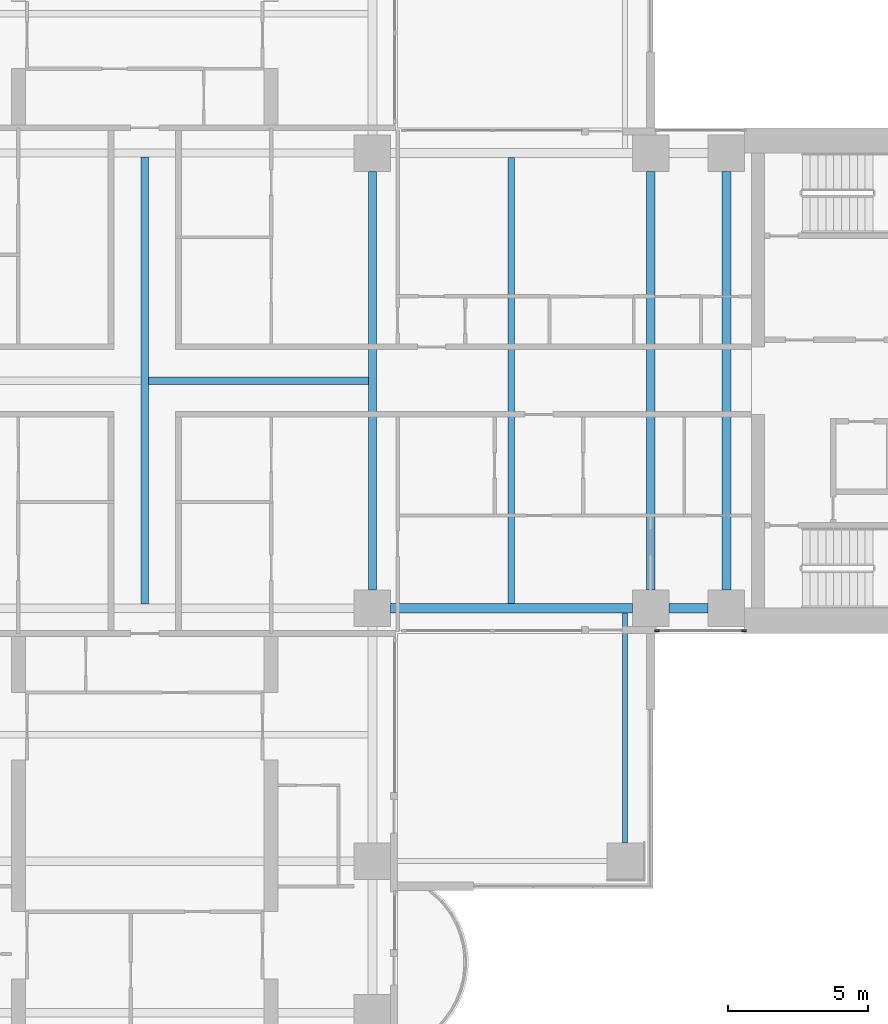
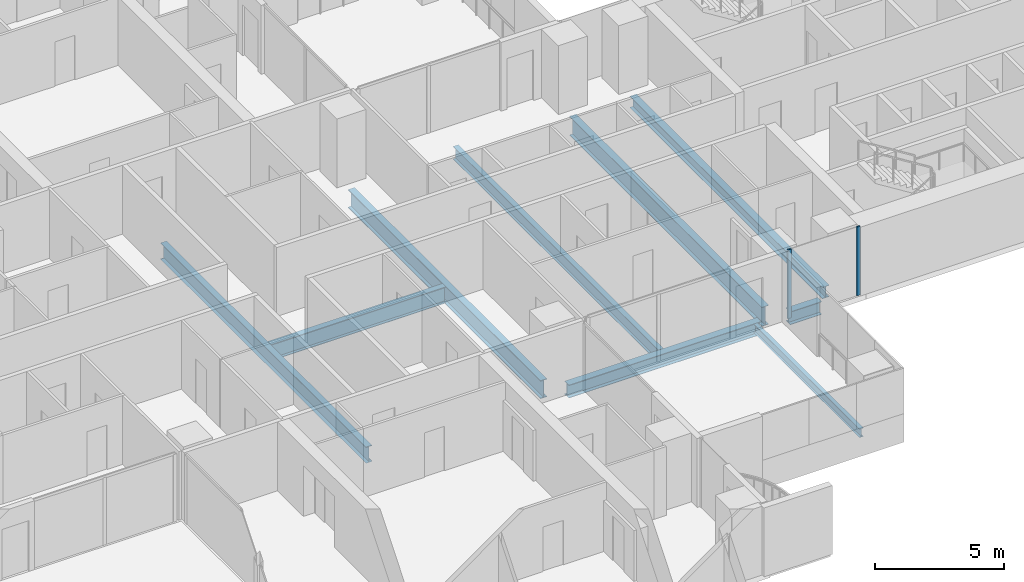
# One storey, part 4 of 21: 9 beams, 2 members, 1 element without a shape of its own.
"""IFC4 building model written with IfcOpenShell, lengths in metres."""

from ifc_helpers import new_model, si_unit, direction, frame, origin, origin_2d, place, context, subcontext, project, spatial, rectangle, i_section, extrude, material, material_profile, profile_set, type_object, element, aggregate, save


model = new_model("IFC4")

# Units and contexts
model_context = context("Model", 3, precision=1e-05, world=origin(), true_north=direction((0.0, 1.0)))
body_context = subcontext(model_context, "Body", "Model", "MODEL_VIEW")
ifc_project = project(units=[si_unit("LENGTHUNIT", "METRE"), si_unit("AREAUNIT", "SQUARE_METRE"), si_unit("VOLUMEUNIT", "CUBIC_METRE"), si_unit("PLANEANGLEUNIT", "RADIAN"), si_unit("MASSUNIT", "GRAM", prefix="KILO")], contexts=[model_context])

# Site, building, storey
site_placement = place(None, origin())
site = spatial("IfcSite", under=ifc_project, at=site_placement, CompositionType="ELEMENT")
building_placement = place(site_placement, origin())
building = spatial("IfcBuilding", under=site, at=building_placement, Name="Perihelion Cross Residences", CompositionType="ELEMENT")
storey_placement = place(building_placement, frame((0.0, 0.0, 43.5)))
storey = spatial("IfcBuildingStorey", under=building, at=storey_placement, Name="L07", CompositionType="ELEMENT", Elevation=43.5)

# Curtain wall, members
ifc_material_1 = material(Name="Bronze anodised aluminium, tinted glazing", Category="aluminium")
curtain_wall_type = type_object("IfcCurtainWallType", Name="CW1", PredefinedType="NOTDEFINED", material=ifc_material_1)
curtain_wall_placement = place(storey_placement, origin())
curtain_wall = element("IfcCurtainWall", 1, at=curtain_wall_placement, inside=storey, type_object=curtain_wall_type, Name="Curtain wall CW1 L07 east side south bay 2", PredefinedType="NOTDEFINED")
ifc_material_2 = material(Name="Bronze anodised aluminium", Category="aluminium")
ifc_material_profile_1 = material_profile(ifc_material_2, rectangle(XDim=0.06005859375, YDim=0.159912109375, at=origin_2d()), Name="CW1 mullion")
ifc_profile_set_1 = profile_set([ifc_material_profile_1], Name="Bronze anodised aluminium")
member_type = type_object("IfcMemberType", Name="CW1 mullion", PredefinedType="MULLION", material=ifc_profile_set_1)
member_1_placement = place(storey_placement, frame((18.22998046875, -8.89990234375, 0.0), z_axis=(0.0, 0.0, 1.0), x_axis=(0.0, 1.0, 0.0)))
member_1 = element("IfcMember", 2, at=member_1_placement, type_object=member_type, Name="CW1 mullion 1", PredefinedType="MULLION", context=body_context, shape_type="SweptSolid", body=[
    extrude(rectangle(XDim=0.06005859375, YDim=0.159912109375, at=origin_2d()), origin(), (0.0, 0.0, 1.0), 3.25),
])
member_2_placement = place(storey_placement, frame((21.320068359375, -8.89990234375, 0.0), z_axis=(0.0, 0.0, 1.0), x_axis=(0.0, 1.0, 0.0)))
member_2 = element("IfcMember", 3, at=member_2_placement, type_object=member_type, Name="CW1 mullion 2", PredefinedType="MULLION", context=body_context, shape_type="SweptSolid", body=[
    extrude(rectangle(XDim=0.06005859375, YDim=0.159912109375, at=origin_2d()), origin(), (0.0, 0.0, 1.0), 3.25),
])
aggregate(curtain_wall, [member_1, member_2])

# Beams
ifc_material_3 = material(Name="Steel S355", Category="steel")
ifc_material_profile_2 = material_profile(ifc_material_3, i_section(OverallWidth=0.177978515625, OverallDepth=0.406005859375, WebThickness=0.0078125, FlangeThickness=0.0126953125, at=origin_2d()), Name="W410x60")
ifc_profile_set_2 = profile_set([ifc_material_profile_2], Name="Steel S355")
beam_type_1 = type_object("IfcBeamType", Name="Core edge beam W410x60", PredefinedType="BEAM", material=ifc_profile_set_2)
beam_1_placement = place(storey_placement, frame((17.10009765625, -8.262451171875, -0.452880859375), z_axis=(0.0, -1.0, 0.0), x_axis=(1.0, 0.0, 0.0)))
element("IfcBeam", 4, at=beam_1_placement, inside=storey, type_object=beam_type_1, Name="Core edge beam TB2 L07 corner no. 5", PredefinedType="BEAM", context=body_context, shape_type="SweptSolid", body=[
    extrude(i_section(OverallWidth=0.177978515625, OverallDepth=0.406005859375, WebThickness=0.0078125, FlangeThickness=0.0126953125, at=origin_2d()), origin(), (0.0, 0.0, 1.0), 8.1875),
])
ifc_material_4 = material(Name="Steel S355", Category="steel")
ifc_material_profile_3 = material_profile(ifc_material_4, i_section(OverallWidth=0.31201171875, OverallDepth=0.5439453125, WebThickness=0.0126953125, FlangeThickness=0.020263671875, at=origin_2d()), Name="W530x150")
ifc_profile_set_3 = profile_set([ifc_material_profile_3], Name="Steel S355")
beam_type_2 = type_object("IfcBeamType", Name="Core edge beam W530x150", PredefinedType="BEAM", material=ifc_profile_set_3)
beam_2_placement = place(storey_placement, frame((20.699951171875, -7.449951171875, -0.52197265625), z_axis=(0.0, 1.0, 0.0), x_axis=(-1.0, 0.0, 0.0)))
element("IfcBeam", 5, at=beam_2_placement, inside=storey, type_object=beam_type_2, Name="Core edge beam TB4 L07 no. 2", PredefinedType="BEAM", context=body_context, shape_type="SweptSolid", body=[
    extrude(i_section(OverallWidth=0.31201171875, OverallDepth=0.5439453125, WebThickness=0.0126953125, FlangeThickness=0.020263671875, at=origin_2d()), origin(), (0.0, 0.0, 1.0), 14.89990234375),
])
ifc_material_5 = material(Name="Steel S355", Category="steel")
ifc_material_profile_4 = material_profile(ifc_material_5, i_section(OverallWidth=0.324951171875, OverallDepth=0.616943359375, WebThickness=0.013916015625, FlangeThickness=0.021484375, at=origin_2d()), Name="W610x174")
ifc_profile_set_4 = profile_set([ifc_material_profile_4], Name="Steel S355")
beam_type_3 = type_object("IfcBeamType", Name="Edge beam W610x174", PredefinedType="SPANDREL", material=ifc_profile_set_4)
beam_3_placement = place(storey_placement, frame((8.75, -8.10009765625, -0.55859375), z_axis=(1.0, 0.0, 0.0), x_axis=(0.0, 1.0, 0.0)))
element("IfcBeam", 6, at=beam_3_placement, inside=storey, type_object=beam_type_3, Name="Edge beam SB2 L07 no. 18", PredefinedType="SPANDREL", context=body_context, shape_type="SweptSolid", body=[
    extrude(i_section(OverallWidth=0.324951171875, OverallDepth=0.616943359375, WebThickness=0.013916015625, FlangeThickness=0.021484375, at=origin_2d()), origin(), (0.0, 0.0, 1.0), 8.60009765625),
])
beam_4_placement = place(storey_placement, frame((18.64990234375, -8.10009765625, -0.55859375), z_axis=(1.0, 0.0, 0.0), x_axis=(0.0, 1.0, 0.0)))
element("IfcBeam", 7, at=beam_4_placement, inside=storey, type_object=beam_type_3, Name="Edge beam SB2 L07 no. 12", PredefinedType="SPANDREL", context=body_context, shape_type="SweptSolid", body=[
    extrude(i_section(OverallWidth=0.324951171875, OverallDepth=0.616943359375, WebThickness=0.013916015625, FlangeThickness=0.021484375, at=origin_2d()), origin(), (0.0, 0.0, 1.0), 1.400146484375),
])
ifc_material_6 = material(Name="Steel S355", Category="steel")
ifc_material_profile_5 = material_profile(ifc_material_6, i_section(OverallWidth=0.304931640625, OverallDepth=0.904052734375, WebThickness=0.01513671875, FlangeThickness=0.02001953125, at=origin_2d()), Name="W920x201")
ifc_profile_set_5 = profile_set([ifc_material_profile_5], Name="Steel S355")
beam_type_4 = type_object("IfcBeamType", Name="Floor girder W920x201", PredefinedType="BEAM", material=ifc_profile_set_5)
beam_5_placement = place(storey_placement, frame((18.0, -7.449951171875, -0.701904296875), z_axis=(0.0, 1.0, 0.0), x_axis=(-1.0, 0.0, 0.0)))
element("IfcBeam", 8, at=beam_5_placement, inside=storey, type_object=beam_type_4, Name="Girder G2 L07 no. 2", PredefinedType="BEAM", context=body_context, shape_type="SweptSolid", body=[
    extrude(i_section(OverallWidth=0.304931640625, OverallDepth=0.904052734375, WebThickness=0.01513671875, FlangeThickness=0.02001953125, at=origin_2d()), origin(), (0.0, 0.0, 1.0), 14.89990234375),
])
ifc_material_7 = material(Name="Steel S355", Category="steel")
ifc_material_profile_6 = material_profile(ifc_material_7, i_section(OverallWidth=0.22900390625, OverallDepth=0.612060546875, WebThickness=0.011962890625, FlangeThickness=0.01953125, at=origin_2d()), Name="W610x125")
ifc_profile_set_6 = profile_set([ifc_material_profile_6], Name="Steel S355")
beam_type_5 = type_object("IfcBeamType", Name="Floor joist W610x125", PredefinedType="JOIST", material=ifc_profile_set_6)
beam_6_placement = place(storey_placement, frame((13.050048828125, -7.9375, -0.555908203125), z_axis=(0.0, 1.0, 0.0), x_axis=(-1.0, 0.0, 0.0)))
element("IfcBeam", 9, at=beam_6_placement, inside=storey, type_object=beam_type_5, Name="Joist J3 L07 no. 2", PredefinedType="JOIST", context=body_context, shape_type="SweptSolid", body=[
    extrude(i_section(OverallWidth=0.22900390625, OverallDepth=0.612060546875, WebThickness=0.011962890625, FlangeThickness=0.01953125, at=origin_2d()), origin(), (0.0, 0.0, 1.0), 15.875),
])
ifc_material_8 = material(Name="Steel S355", Category="steel")
ifc_material_profile_7 = material_profile(ifc_material_8, i_section(OverallWidth=0.26708984375, OverallDepth=0.77001953125, WebThickness=0.015625, FlangeThickness=0.025390625, at=origin_2d()), Name="W760x196")
ifc_profile_set_7 = profile_set([ifc_material_profile_7], Name="Steel S355")
beam_type_6 = type_object("IfcBeamType", Name="Hub cross beam W760x196", PredefinedType="BEAM", material=ifc_profile_set_7)
beam_7_placement = place(storey_placement, frame((0.0, -7.9541015625, -0.635009765625), z_axis=(0.0, 1.0, 0.0), x_axis=(-1.0, 0.0, 0.0)))
element("IfcBeam", 10, at=beam_7_placement, inside=storey, type_object=beam_type_6, Name="Hub cross beam XB2 L07 no. 1", PredefinedType="BEAM", context=body_context, shape_type="SweptSolid", body=[
    extrude(i_section(OverallWidth=0.26708984375, OverallDepth=0.77001953125, WebThickness=0.015625, FlangeThickness=0.025390625, at=origin_2d()), origin(), (0.0, 0.0, 1.0), 15.908203125),
])
beam_8_placement = place(storey_placement, frame((0.133544921875, 0.0, -0.635009765625), z_axis=(1.0, 0.0, 0.0), x_axis=(0.0, 1.0, 0.0)))
element("IfcBeam", 11, at=beam_8_placement, inside=storey, type_object=beam_type_6, Name="Hub cross beam XB2 L07 2 no. 1", PredefinedType="BEAM", context=body_context, shape_type="SweptSolid", body=[
    extrude(i_section(OverallWidth=0.26708984375, OverallDepth=0.77001953125, WebThickness=0.015625, FlangeThickness=0.025390625, at=origin_2d()), origin(), (0.0, 0.0, 1.0), 7.820556640625),
])
ifc_material_9 = material(Name="Steel S355", Category="steel")
ifc_material_profile_8 = material_profile(ifc_material_9, i_section(OverallWidth=0.2919921875, OverallDepth=0.85888671875, WebThickness=0.01708984375, FlangeThickness=0.031005859375, at=origin_2d()), Name="W840x251")
ifc_profile_set_8 = profile_set([ifc_material_profile_8], Name="Steel S355")
beam_type_7 = type_object("IfcBeamType", Name="Hub ring girder W840x251", PredefinedType="BEAM", material=ifc_profile_set_8)
beam_9_placement = place(storey_placement, frame((8.10009765625, -7.449951171875, -0.679443359375), z_axis=(0.0, 1.0, 0.0), x_axis=(-1.0, 0.0, 0.0)))
element("IfcBeam", 12, at=beam_9_placement, inside=storey, type_object=beam_type_7, Name="Hub ring girder RG2 L07 no. 3", PredefinedType="BEAM", context=body_context, shape_type="SweptSolid", body=[
    extrude(i_section(OverallWidth=0.2919921875, OverallDepth=0.85888671875, WebThickness=0.01708984375, FlangeThickness=0.031005859375, at=origin_2d()), origin(), (0.0, 0.0, 1.0), 14.89990234375),
])

save(model, "model.ifc")
